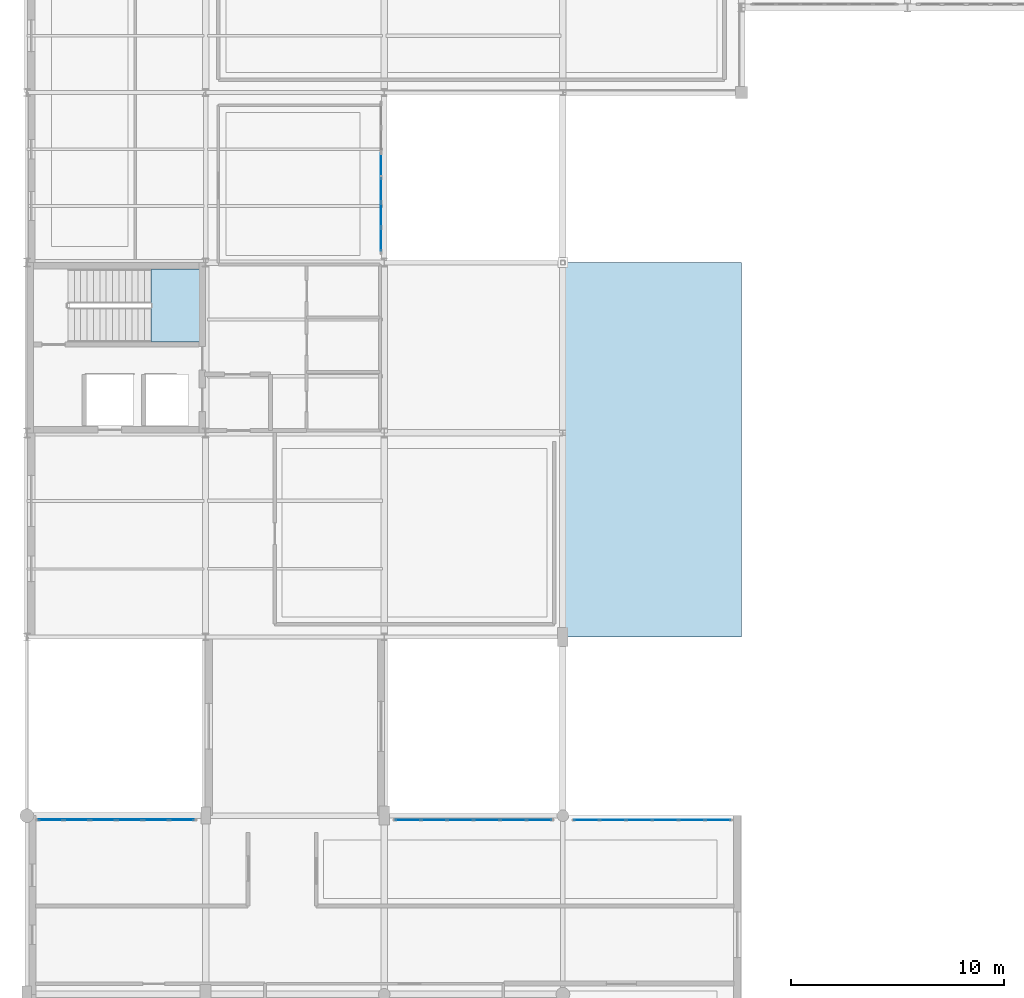
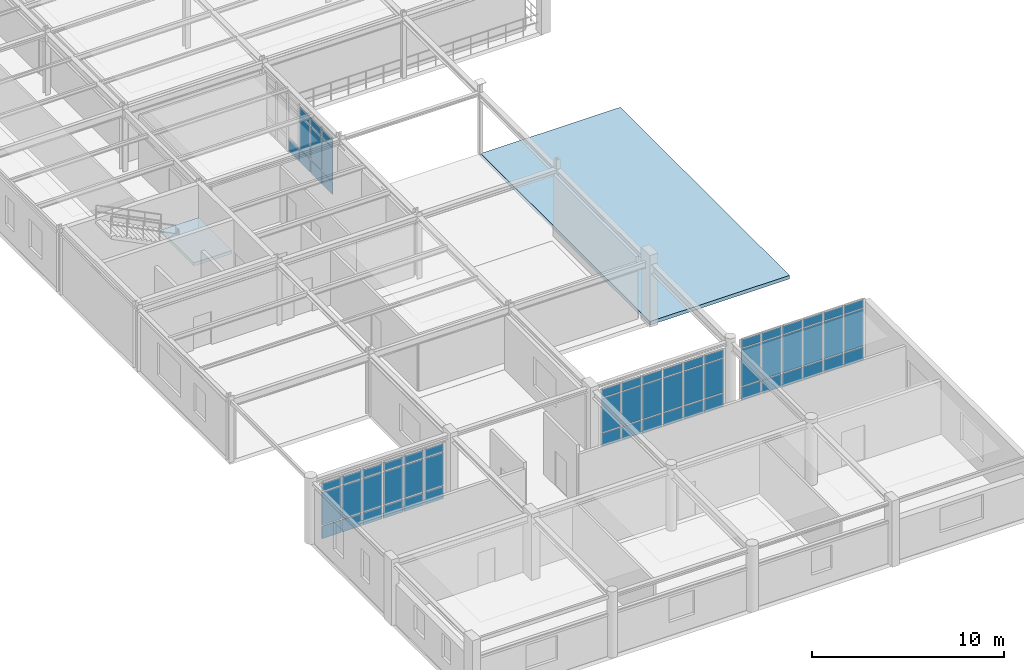
# One storey, part 57 of 90: 64 plates, 2 slabs, 5 elements without a shape of their own.
"""IFC4 building model written with IfcOpenShell, lengths in metres."""

from ifc_helpers import new_model, si_unit, derived_unit, direction, frame, origin, origin_2d, place, context, subcontext, project, spatial, polyline, rectangle, outline, extrude, material, layer, layer_set, type_object, element, aggregate, save


model = new_model("IFC4")

# Units and contexts
model_context = context("Model", 3, precision=1e-05, world=origin(), true_north=direction((0.0, 1.0)))
body_context = subcontext(model_context, "Body", "Model", "MODEL_VIEW")
ifc_project = project(units=[si_unit("LENGTHUNIT", "METRE"), si_unit("AREAUNIT", "SQUARE_METRE"), si_unit("VOLUMEUNIT", "CUBIC_METRE"), si_unit("PLANEANGLEUNIT", "RADIAN"), si_unit("MASSUNIT", "GRAM", prefix="KILO"), derived_unit("THERMALTRANSMITTANCEUNIT", [(si_unit("POWERUNIT", "WATT"), 1), (si_unit("AREAUNIT", "SQUARE_METRE"), -1), (si_unit("THERMODYNAMICTEMPERATUREUNIT", "KELVIN"), -1)])], contexts=[model_context])

# Site, building, storey
site_placement = place(None, origin())
site = spatial("IfcSite", under=ifc_project, at=site_placement, CompositionType="ELEMENT")
building_placement = place(site_placement, origin())
building = spatial("IfcBuilding", under=site, at=building_placement, Name="Yasenodar Specialist Clinic", CompositionType="ELEMENT")
storey_placement = place(building_placement, frame((0.0, 0.0, 9.0)))
storey = spatial("IfcBuildingStorey", under=building, at=storey_placement, Name="L02", CompositionType="ELEMENT", Elevation=9.0)

# Curtain wall, plates
ifc_material_1 = material(Name="Bronze Anodized Aluminium and Triple Low-E Glass", Category="aluminium")
ifc_layer_1 = layer(ifc_material_1, 0.202880859375)
ifc_layer_set_1 = layer_set([ifc_layer_1], Name="Bronze Anodized Aluminium and Triple Low-E Glass")
curtain_wall_type = type_object("IfcCurtainWallType", Name="CW-SYS-04", PredefinedType="USERDEFINED", material=ifc_layer_set_1)
curtain_wall_1_placement = place(storey_placement, origin())
curtain_wall_1 = element("IfcCurtainWall", 1, at=curtain_wall_1_placement, inside=storey, type_object=curtain_wall_type, Name="L02 Unitised Curtain Wall 076", ObjectType="UNITISED CURTAIN WALL", PredefinedType="USERDEFINED")
ifc_material_2 = material(Name="Triple Low-E Argon Glazing", Category="glass")
ifc_layer_2 = layer(ifc_material_2, 0.028076171875)
ifc_layer_set_2 = layer_set([ifc_layer_2], Name="Triple Low-E Argon Glazing")
plate_type_1 = type_object("IfcPlateType", Name="CW-PAN-1", PredefinedType="CURTAIN_PANEL", material=ifc_layer_set_2)
plate_1_placement = place(storey_placement, frame((17.9150390625, 16.60009765625, 0.06005859375), z_axis=(0.0, 0.0, 1.0), x_axis=(1.0, 0.0, 0.0)))
plate_1 = element("IfcPlate", 2, at=plate_1_placement, type_object=plate_type_1, Name="CW-04 panel 1.1", PredefinedType="CURTAIN_PANEL", context=body_context, shape_type="SweptSolid", body=[
    extrude(rectangle(XDim=1.14990234375, YDim=0.028076171875, at=origin_2d()), origin(), (0.0, 0.0, 1.0), 0.81005859375),
])
plate_2_placement = place(storey_placement, frame((17.9150390625, 16.60009765625, 0.929931640625), z_axis=(0.0, 0.0, 1.0), x_axis=(1.0, 0.0, 0.0)))
plate_2 = element("IfcPlate", 3, at=plate_2_placement, type_object=plate_type_1, Name="CW-04 panel 1.2", PredefinedType="CURTAIN_PANEL", context=body_context, shape_type="SweptSolid", body=[
    extrude(rectangle(XDim=1.14990234375, YDim=0.028076171875, at=origin_2d()), origin(), (0.0, 0.0, 1.0), 2.14794921875),
])
plate_3_placement = place(storey_placement, frame((17.9150390625, 16.60009765625, 3.13818359375), z_axis=(0.0, 0.0, 1.0), x_axis=(1.0, 0.0, 0.0)))
plate_3 = element("IfcPlate", 4, at=plate_3_placement, type_object=plate_type_1, Name="CW-04 panel 1.3", PredefinedType="CURTAIN_PANEL", context=body_context, shape_type="SweptSolid", body=[
    extrude(rectangle(XDim=1.14990234375, YDim=0.028076171875, at=origin_2d()), origin(), (0.0, 0.0, 1.0), 0.510009765625),
])
plate_4_placement = place(storey_placement, frame((19.139892578125, 16.60009765625, 0.06005859375), z_axis=(0.0, 0.0, 1.0), x_axis=(1.0, 0.0, 0.0)))
plate_4 = element("IfcPlate", 5, at=plate_4_placement, type_object=plate_type_1, Name="CW-04 panel 2.1", PredefinedType="CURTAIN_PANEL", context=body_context, shape_type="SweptSolid", body=[
    extrude(rectangle(XDim=1.179931640625, YDim=0.028076171875, at=origin_2d()), origin(), (0.0, 0.0, 1.0), 0.81005859375),
])
plate_5_placement = place(storey_placement, frame((19.139892578125, 16.60009765625, 0.929931640625), z_axis=(0.0, 0.0, 1.0), x_axis=(1.0, 0.0, 0.0)))
plate_5 = element("IfcPlate", 6, at=plate_5_placement, type_object=plate_type_1, Name="CW-04 panel 2.2", PredefinedType="CURTAIN_PANEL", context=body_context, shape_type="SweptSolid", body=[
    extrude(rectangle(XDim=1.179931640625, YDim=0.028076171875, at=origin_2d()), origin(), (0.0, 0.0, 1.0), 2.14794921875),
])
plate_6_placement = place(storey_placement, frame((19.139892578125, 16.60009765625, 3.13818359375), z_axis=(0.0, 0.0, 1.0), x_axis=(1.0, 0.0, 0.0)))
plate_6 = element("IfcPlate", 7, at=plate_6_placement, type_object=plate_type_1, Name="CW-04 panel 2.3", PredefinedType="CURTAIN_PANEL", context=body_context, shape_type="SweptSolid", body=[
    extrude(rectangle(XDim=1.179931640625, YDim=0.028076171875, at=origin_2d()), origin(), (0.0, 0.0, 1.0), 0.510009765625),
])
plate_7_placement = place(storey_placement, frame((20.3798828125, 16.60009765625, 0.06005859375), z_axis=(0.0, 0.0, 1.0), x_axis=(1.0, 0.0, 0.0)))
plate_7 = element("IfcPlate", 8, at=plate_7_placement, type_object=plate_type_1, Name="CW-04 panel 3.1", PredefinedType="CURTAIN_PANEL", context=body_context, shape_type="SweptSolid", body=[
    extrude(rectangle(XDim=1.179931640625, YDim=0.028076171875, at=origin_2d()), origin(), (0.0, 0.0, 1.0), 0.81005859375),
])
plate_8_placement = place(storey_placement, frame((20.3798828125, 16.60009765625, 0.929931640625), z_axis=(0.0, 0.0, 1.0), x_axis=(1.0, 0.0, 0.0)))
plate_8 = element("IfcPlate", 9, at=plate_8_placement, type_object=plate_type_1, Name="CW-04 panel 3.2", PredefinedType="CURTAIN_PANEL", context=body_context, shape_type="SweptSolid", body=[
    extrude(rectangle(XDim=1.179931640625, YDim=0.028076171875, at=origin_2d()), origin(), (0.0, 0.0, 1.0), 2.14794921875),
])
plate_9_placement = place(storey_placement, frame((20.3798828125, 16.60009765625, 3.13818359375), z_axis=(0.0, 0.0, 1.0), x_axis=(1.0, 0.0, 0.0)))
plate_9 = element("IfcPlate", 10, at=plate_9_placement, type_object=plate_type_1, Name="CW-04 panel 3.3", PredefinedType="CURTAIN_PANEL", context=body_context, shape_type="SweptSolid", body=[
    extrude(rectangle(XDim=1.179931640625, YDim=0.028076171875, at=origin_2d()), origin(), (0.0, 0.0, 1.0), 0.510009765625),
])
plate_10_placement = place(storey_placement, frame((21.6201171875, 16.60009765625, 0.06005859375), z_axis=(0.0, 0.0, 1.0), x_axis=(1.0, 0.0, 0.0)))
plate_10 = element("IfcPlate", 11, at=plate_10_placement, type_object=plate_type_1, Name="CW-04 panel 4.1", PredefinedType="CURTAIN_PANEL", context=body_context, shape_type="SweptSolid", body=[
    extrude(rectangle(XDim=1.179931640625, YDim=0.028076171875, at=origin_2d()), origin(), (0.0, 0.0, 1.0), 0.81005859375),
])
plate_11_placement = place(storey_placement, frame((21.6201171875, 16.60009765625, 0.929931640625), z_axis=(0.0, 0.0, 1.0), x_axis=(1.0, 0.0, 0.0)))
plate_11 = element("IfcPlate", 12, at=plate_11_placement, type_object=plate_type_1, Name="CW-04 panel 4.2", PredefinedType="CURTAIN_PANEL", context=body_context, shape_type="SweptSolid", body=[
    extrude(rectangle(XDim=1.179931640625, YDim=0.028076171875, at=origin_2d()), origin(), (0.0, 0.0, 1.0), 2.14794921875),
])
plate_12_placement = place(storey_placement, frame((21.6201171875, 16.60009765625, 3.13818359375), z_axis=(0.0, 0.0, 1.0), x_axis=(1.0, 0.0, 0.0)))
plate_12 = element("IfcPlate", 13, at=plate_12_placement, type_object=plate_type_1, Name="CW-04 panel 4.3", PredefinedType="CURTAIN_PANEL", context=body_context, shape_type="SweptSolid", body=[
    extrude(rectangle(XDim=1.179931640625, YDim=0.028076171875, at=origin_2d()), origin(), (0.0, 0.0, 1.0), 0.510009765625),
])
plate_13_placement = place(storey_placement, frame((22.860107421875, 16.60009765625, 0.06005859375), z_axis=(0.0, 0.0, 1.0), x_axis=(1.0, 0.0, 0.0)))
plate_13 = element("IfcPlate", 14, at=plate_13_placement, type_object=plate_type_1, Name="CW-04 panel 5.1", PredefinedType="CURTAIN_PANEL", context=body_context, shape_type="SweptSolid", body=[
    extrude(rectangle(XDim=1.179931640625, YDim=0.028076171875, at=origin_2d()), origin(), (0.0, 0.0, 1.0), 0.81005859375),
])
plate_14_placement = place(storey_placement, frame((22.860107421875, 16.60009765625, 0.929931640625), z_axis=(0.0, 0.0, 1.0), x_axis=(1.0, 0.0, 0.0)))
plate_14 = element("IfcPlate", 15, at=plate_14_placement, type_object=plate_type_1, Name="CW-04 panel 5.2", PredefinedType="CURTAIN_PANEL", context=body_context, shape_type="SweptSolid", body=[
    extrude(rectangle(XDim=1.179931640625, YDim=0.028076171875, at=origin_2d()), origin(), (0.0, 0.0, 1.0), 2.14794921875),
])
plate_15_placement = place(storey_placement, frame((22.860107421875, 16.60009765625, 3.13818359375), z_axis=(0.0, 0.0, 1.0), x_axis=(1.0, 0.0, 0.0)))
plate_15 = element("IfcPlate", 16, at=plate_15_placement, type_object=plate_type_1, Name="CW-04 panel 5.3", PredefinedType="CURTAIN_PANEL", context=body_context, shape_type="SweptSolid", body=[
    extrude(rectangle(XDim=1.179931640625, YDim=0.028076171875, at=origin_2d()), origin(), (0.0, 0.0, 1.0), 0.510009765625),
])
plate_16_placement = place(storey_placement, frame((24.0849609375, 16.60009765625, 0.06005859375), z_axis=(0.0, 0.0, 1.0), x_axis=(1.0, 0.0, 0.0)))
plate_16 = element("IfcPlate", 17, at=plate_16_placement, type_object=plate_type_1, Name="CW-04 panel 6.1", PredefinedType="CURTAIN_PANEL", context=body_context, shape_type="SweptSolid", body=[
    extrude(rectangle(XDim=1.14990234375, YDim=0.028076171875, at=origin_2d()), origin(), (0.0, 0.0, 1.0), 0.81005859375),
])
plate_17_placement = place(storey_placement, frame((24.0849609375, 16.60009765625, 0.929931640625), z_axis=(0.0, 0.0, 1.0), x_axis=(1.0, 0.0, 0.0)))
plate_17 = element("IfcPlate", 18, at=plate_17_placement, type_object=plate_type_1, Name="CW-04 panel 6.2", PredefinedType="CURTAIN_PANEL", context=body_context, shape_type="SweptSolid", body=[
    extrude(rectangle(XDim=1.14990234375, YDim=0.028076171875, at=origin_2d()), origin(), (0.0, 0.0, 1.0), 2.14794921875),
])
plate_18_placement = place(storey_placement, frame((24.0849609375, 16.60009765625, 3.13818359375), z_axis=(0.0, 0.0, 1.0), x_axis=(1.0, 0.0, 0.0)))
plate_18 = element("IfcPlate", 19, at=plate_18_placement, type_object=plate_type_1, Name="CW-04 panel 6.3", PredefinedType="CURTAIN_PANEL", context=body_context, shape_type="SweptSolid", body=[
    extrude(rectangle(XDim=1.14990234375, YDim=0.028076171875, at=origin_2d()), origin(), (0.0, 0.0, 1.0), 0.510009765625),
])
aggregate(curtain_wall_1, [plate_1, plate_2, plate_3, plate_4, plate_5, plate_6, plate_7, plate_8, plate_9, plate_10, plate_11, plate_12, plate_13, plate_14, plate_15, plate_16, plate_17, plate_18])

curtain_wall_2_placement = place(storey_placement, origin())
curtain_wall_2 = element("IfcCurtainWall", 20, at=curtain_wall_2_placement, inside=storey, type_object=curtain_wall_type, Name="L02 Unitised Curtain Wall 077", ObjectType="UNITISED CURTAIN WALL", PredefinedType="USERDEFINED")
ifc_layer_3 = layer(ifc_material_2, 0.033935546875)
ifc_layer_set_3 = layer_set([ifc_layer_3], Name="Triple Low-E Argon Glazing")
plate_type_2 = type_object("IfcPlateType", Name="CW-PAN-2", PredefinedType="CURTAIN_PANEL", material=ifc_layer_set_3)
plate_19_placement = place(storey_placement, frame((26.31494140625, 16.60009765625, 0.06005859375), z_axis=(0.0, 0.0, 1.0), x_axis=(1.0, 0.0, 0.0)))
plate_19 = element("IfcPlate", 21, at=plate_19_placement, type_object=plate_type_2, Name="CW-04 panel 1.1", PredefinedType="CURTAIN_PANEL", context=body_context, shape_type="SweptSolid", body=[
    extrude(rectangle(XDim=1.14990234375, YDim=0.033935546875, at=origin_2d()), origin(), (0.0, 0.0, 1.0), 0.81005859375),
])
plate_20_placement = place(storey_placement, frame((26.31494140625, 16.60009765625, 0.929931640625), z_axis=(0.0, 0.0, 1.0), x_axis=(1.0, 0.0, 0.0)))
plate_20 = element("IfcPlate", 22, at=plate_20_placement, type_object=plate_type_2, Name="CW-04 panel 1.2", PredefinedType="CURTAIN_PANEL", context=body_context, shape_type="SweptSolid", body=[
    extrude(rectangle(XDim=1.14990234375, YDim=0.033935546875, at=origin_2d()), origin(), (0.0, 0.0, 1.0), 2.3701171875),
])
plate_21_placement = place(storey_placement, frame((26.31494140625, 16.60009765625, 3.35986328125), z_axis=(0.0, 0.0, 1.0), x_axis=(1.0, 0.0, 0.0)))
plate_21 = element("IfcPlate", 23, at=plate_21_placement, type_object=plate_type_2, Name="CW-04 panel 1.3", PredefinedType="CURTAIN_PANEL", context=body_context, shape_type="SweptSolid", body=[
    extrude(rectangle(XDim=1.14990234375, YDim=0.033935546875, at=origin_2d()), origin(), (0.0, 0.0, 1.0), 0.510009765625),
])
plate_22_placement = place(storey_placement, frame((27.5400390625, 16.60009765625, 0.06005859375), z_axis=(0.0, 0.0, 1.0), x_axis=(1.0, 0.0, 0.0)))
plate_22 = element("IfcPlate", 24, at=plate_22_placement, type_object=plate_type_2, Name="CW-04 panel 2.1", PredefinedType="CURTAIN_PANEL", context=body_context, shape_type="SweptSolid", body=[
    extrude(rectangle(XDim=1.179931640625, YDim=0.033935546875, at=origin_2d()), origin(), (0.0, 0.0, 1.0), 0.81005859375),
])
plate_23_placement = place(storey_placement, frame((27.5400390625, 16.60009765625, 0.929931640625), z_axis=(0.0, 0.0, 1.0), x_axis=(1.0, 0.0, 0.0)))
plate_23 = element("IfcPlate", 25, at=plate_23_placement, type_object=plate_type_2, Name="CW-04 panel 2.2", PredefinedType="CURTAIN_PANEL", context=body_context, shape_type="SweptSolid", body=[
    extrude(rectangle(XDim=1.179931640625, YDim=0.033935546875, at=origin_2d()), origin(), (0.0, 0.0, 1.0), 2.3701171875),
])
plate_24_placement = place(storey_placement, frame((27.5400390625, 16.60009765625, 3.35986328125), z_axis=(0.0, 0.0, 1.0), x_axis=(1.0, 0.0, 0.0)))
plate_24 = element("IfcPlate", 26, at=plate_24_placement, type_object=plate_type_2, Name="CW-04 panel 2.3", PredefinedType="CURTAIN_PANEL", context=body_context, shape_type="SweptSolid", body=[
    extrude(rectangle(XDim=1.179931640625, YDim=0.033935546875, at=origin_2d()), origin(), (0.0, 0.0, 1.0), 0.510009765625),
])
plate_25_placement = place(storey_placement, frame((28.780029296875, 16.60009765625, 0.06005859375), z_axis=(0.0, 0.0, 1.0), x_axis=(1.0, 0.0, 0.0)))
plate_25 = element("IfcPlate", 27, at=plate_25_placement, type_object=plate_type_2, Name="CW-04 panel 3.1", PredefinedType="CURTAIN_PANEL", context=body_context, shape_type="SweptSolid", body=[
    extrude(rectangle(XDim=1.179931640625, YDim=0.033935546875, at=origin_2d()), origin(), (0.0, 0.0, 1.0), 0.81005859375),
])
plate_26_placement = place(storey_placement, frame((28.780029296875, 16.60009765625, 0.929931640625), z_axis=(0.0, 0.0, 1.0), x_axis=(1.0, 0.0, 0.0)))
plate_26 = element("IfcPlate", 28, at=plate_26_placement, type_object=plate_type_2, Name="CW-04 panel 3.2", PredefinedType="CURTAIN_PANEL", context=body_context, shape_type="SweptSolid", body=[
    extrude(rectangle(XDim=1.179931640625, YDim=0.033935546875, at=origin_2d()), origin(), (0.0, 0.0, 1.0), 2.3701171875),
])
plate_27_placement = place(storey_placement, frame((28.780029296875, 16.60009765625, 3.35986328125), z_axis=(0.0, 0.0, 1.0), x_axis=(1.0, 0.0, 0.0)))
plate_27 = element("IfcPlate", 29, at=plate_27_placement, type_object=plate_type_2, Name="CW-04 panel 3.3", PredefinedType="CURTAIN_PANEL", context=body_context, shape_type="SweptSolid", body=[
    extrude(rectangle(XDim=1.179931640625, YDim=0.033935546875, at=origin_2d()), origin(), (0.0, 0.0, 1.0), 0.510009765625),
])
plate_28_placement = place(storey_placement, frame((30.02001953125, 16.60009765625, 0.06005859375), z_axis=(0.0, 0.0, 1.0), x_axis=(1.0, 0.0, 0.0)))
plate_28 = element("IfcPlate", 30, at=plate_28_placement, type_object=plate_type_2, Name="CW-04 panel 4.1", PredefinedType="CURTAIN_PANEL", context=body_context, shape_type="SweptSolid", body=[
    extrude(rectangle(XDim=1.179931640625, YDim=0.033935546875, at=origin_2d()), origin(), (0.0, 0.0, 1.0), 0.81005859375),
])
plate_29_placement = place(storey_placement, frame((30.02001953125, 16.60009765625, 0.929931640625), z_axis=(0.0, 0.0, 1.0), x_axis=(1.0, 0.0, 0.0)))
plate_29 = element("IfcPlate", 31, at=plate_29_placement, type_object=plate_type_2, Name="CW-04 panel 4.2", PredefinedType="CURTAIN_PANEL", context=body_context, shape_type="SweptSolid", body=[
    extrude(rectangle(XDim=1.179931640625, YDim=0.033935546875, at=origin_2d()), origin(), (0.0, 0.0, 1.0), 2.3701171875),
])
plate_30_placement = place(storey_placement, frame((30.02001953125, 16.60009765625, 3.35986328125), z_axis=(0.0, 0.0, 1.0), x_axis=(1.0, 0.0, 0.0)))
plate_30 = element("IfcPlate", 32, at=plate_30_placement, type_object=plate_type_2, Name="CW-04 panel 4.3", PredefinedType="CURTAIN_PANEL", context=body_context, shape_type="SweptSolid", body=[
    extrude(rectangle(XDim=1.179931640625, YDim=0.033935546875, at=origin_2d()), origin(), (0.0, 0.0, 1.0), 0.510009765625),
])
plate_31_placement = place(storey_placement, frame((31.260009765625, 16.60009765625, 0.06005859375), z_axis=(0.0, 0.0, 1.0), x_axis=(1.0, 0.0, 0.0)))
plate_31 = element("IfcPlate", 33, at=plate_31_placement, type_object=plate_type_2, Name="CW-04 panel 5.1", PredefinedType="CURTAIN_PANEL", context=body_context, shape_type="SweptSolid", body=[
    extrude(rectangle(XDim=1.179931640625, YDim=0.033935546875, at=origin_2d()), origin(), (0.0, 0.0, 1.0), 0.81005859375),
])
plate_32_placement = place(storey_placement, frame((31.260009765625, 16.60009765625, 0.929931640625), z_axis=(0.0, 0.0, 1.0), x_axis=(1.0, 0.0, 0.0)))
plate_32 = element("IfcPlate", 34, at=plate_32_placement, type_object=plate_type_2, Name="CW-04 panel 5.2", PredefinedType="CURTAIN_PANEL", context=body_context, shape_type="SweptSolid", body=[
    extrude(rectangle(XDim=1.179931640625, YDim=0.033935546875, at=origin_2d()), origin(), (0.0, 0.0, 1.0), 2.3701171875),
])
plate_33_placement = place(storey_placement, frame((31.260009765625, 16.60009765625, 3.35986328125), z_axis=(0.0, 0.0, 1.0), x_axis=(1.0, 0.0, 0.0)))
plate_33 = element("IfcPlate", 35, at=plate_33_placement, type_object=plate_type_2, Name="CW-04 panel 5.3", PredefinedType="CURTAIN_PANEL", context=body_context, shape_type="SweptSolid", body=[
    extrude(rectangle(XDim=1.179931640625, YDim=0.033935546875, at=origin_2d()), origin(), (0.0, 0.0, 1.0), 0.510009765625),
])
plate_34_placement = place(storey_placement, frame((32.485107421875, 16.60009765625, 0.06005859375), z_axis=(0.0, 0.0, 1.0), x_axis=(1.0, 0.0, 0.0)))
plate_34 = element("IfcPlate", 36, at=plate_34_placement, type_object=plate_type_2, Name="CW-04 panel 6.1", PredefinedType="CURTAIN_PANEL", context=body_context, shape_type="SweptSolid", body=[
    extrude(rectangle(XDim=1.14990234375, YDim=0.033935546875, at=origin_2d()), origin(), (0.0, 0.0, 1.0), 0.81005859375),
])
plate_35_placement = place(storey_placement, frame((32.485107421875, 16.60009765625, 0.929931640625), z_axis=(0.0, 0.0, 1.0), x_axis=(1.0, 0.0, 0.0)))
plate_35 = element("IfcPlate", 37, at=plate_35_placement, type_object=plate_type_2, Name="CW-04 panel 6.2", PredefinedType="CURTAIN_PANEL", context=body_context, shape_type="SweptSolid", body=[
    extrude(rectangle(XDim=1.14990234375, YDim=0.033935546875, at=origin_2d()), origin(), (0.0, 0.0, 1.0), 2.3701171875),
])
plate_36_placement = place(storey_placement, frame((32.485107421875, 16.60009765625, 3.35986328125), z_axis=(0.0, 0.0, 1.0), x_axis=(1.0, 0.0, 0.0)))
plate_36 = element("IfcPlate", 38, at=plate_36_placement, type_object=plate_type_2, Name="CW-04 panel 6.3", PredefinedType="CURTAIN_PANEL", context=body_context, shape_type="SweptSolid", body=[
    extrude(rectangle(XDim=1.14990234375, YDim=0.033935546875, at=origin_2d()), origin(), (0.0, 0.0, 1.0), 0.510009765625),
])
aggregate(curtain_wall_2, [plate_19, plate_20, plate_21, plate_22, plate_23, plate_24, plate_25, plate_26, plate_27, plate_28, plate_29, plate_30, plate_31, plate_32, plate_33, plate_34, plate_35, plate_36])

curtain_wall_3_placement = place(storey_placement, origin())
curtain_wall_3 = element("IfcCurtainWall", 39, at=curtain_wall_3_placement, inside=storey, type_object=curtain_wall_type, Name="L02 Unitised Curtain Wall 130", ObjectType="UNITISED CURTAIN WALL", PredefinedType="USERDEFINED")
ifc_layer_4 = layer(ifc_material_2, 0.0400390625)
ifc_layer_set_4 = layer_set([ifc_layer_4], Name="Triple Low-E Argon Glazing")
plate_type_3 = type_object("IfcPlateType", Name="CW-PAN-3", PredefinedType="CURTAIN_PANEL", material=ifc_layer_set_4)
plate_37_placement = place(storey_placement, frame((16.64990234375, 47.38671875, 0.074951171875), z_axis=(0.0, 0.0, 1.0), x_axis=(0.0, -1.0, 0.0)))
plate_37 = element("IfcPlate", 40, at=plate_37_placement, type_object=plate_type_3, Name="CW-04 panel 3.1", PredefinedType="CURTAIN_PANEL", context=body_context, shape_type="SweptSolid", body=[
    extrude(rectangle(XDim=1.098388671875, YDim=0.0400390625, at=origin_2d()), origin(), (0.0, 0.0, 1.0), 0.78759765625),
])
plate_38_placement = place(storey_placement, frame((16.64990234375, 46.21337890625, 0.074951171875), z_axis=(0.0, 0.0, 1.0), x_axis=(0.0, -1.0, 0.0)))
plate_38 = element("IfcPlate", 41, at=plate_38_placement, type_object=plate_type_3, Name="CW-04 panel 4.1", PredefinedType="CURTAIN_PANEL", context=body_context, shape_type="SweptSolid", body=[
    extrude(rectangle(XDim=1.098388671875, YDim=0.0400390625, at=origin_2d()), origin(), (0.0, 0.0, 1.0), 0.78759765625),
])
plate_39_placement = place(storey_placement, frame((16.64990234375, 46.21337890625, 0.9375), z_axis=(0.0, 0.0, 1.0), x_axis=(0.0, -1.0, 0.0)))
plate_39 = element("IfcPlate", 42, at=plate_39_placement, type_object=plate_type_3, Name="CW-04 panel 4.2", PredefinedType="CURTAIN_PANEL", context=body_context, shape_type="SweptSolid", body=[
    extrude(rectangle(XDim=1.098388671875, YDim=0.0400390625, at=origin_2d()), origin(), (0.0, 0.0, 1.0), 2.072998046875),
])
plate_40_placement = place(storey_placement, frame((16.64990234375, 46.21337890625, 3.08544921875), z_axis=(0.0, 0.0, 1.0), x_axis=(0.0, -1.0, 0.0)))
plate_40 = element("IfcPlate", 43, at=plate_40_placement, type_object=plate_type_3, Name="CW-04 panel 4.3", PredefinedType="CURTAIN_PANEL", context=body_context, shape_type="SweptSolid", body=[
    extrude(rectangle(XDim=1.098388671875, YDim=0.0400390625, at=origin_2d()), origin(), (0.0, 0.0, 1.0), 0.487548828125),
])
plate_41_placement = place(storey_placement, frame((16.64990234375, 45.0400390625, 0.074951171875), z_axis=(0.0, 0.0, 1.0), x_axis=(0.0, -1.0, 0.0)))
plate_41 = element("IfcPlate", 44, at=plate_41_placement, type_object=plate_type_3, Name="CW-04 panel 5.1", PredefinedType="CURTAIN_PANEL", context=body_context, shape_type="SweptSolid", body=[
    extrude(rectangle(XDim=1.098388671875, YDim=0.0400390625, at=origin_2d()), origin(), (0.0, 0.0, 1.0), 0.78759765625),
])
plate_42_placement = place(storey_placement, frame((16.64990234375, 45.0400390625, 0.9375), z_axis=(0.0, 0.0, 1.0), x_axis=(0.0, -1.0, 0.0)))
plate_42 = element("IfcPlate", 45, at=plate_42_placement, type_object=plate_type_3, Name="CW-04 panel 5.2", PredefinedType="CURTAIN_PANEL", context=body_context, shape_type="SweptSolid", body=[
    extrude(rectangle(XDim=1.098388671875, YDim=0.0400390625, at=origin_2d()), origin(), (0.0, 0.0, 1.0), 2.072998046875),
])
plate_43_placement = place(storey_placement, frame((16.64990234375, 45.0400390625, 3.08544921875), z_axis=(0.0, 0.0, 1.0), x_axis=(0.0, -1.0, 0.0)))
plate_43 = element("IfcPlate", 46, at=plate_43_placement, type_object=plate_type_3, Name="CW-04 panel 5.3", PredefinedType="CURTAIN_PANEL", context=body_context, shape_type="SweptSolid", body=[
    extrude(rectangle(XDim=1.098388671875, YDim=0.0400390625, at=origin_2d()), origin(), (0.0, 0.0, 1.0), 0.487548828125),
])
plate_44_placement = place(storey_placement, frame((16.64990234375, 43.885498046875, 0.074951171875), z_axis=(0.0, 0.0, 1.0), x_axis=(0.0, -1.0, 0.0)))
plate_44 = element("IfcPlate", 47, at=plate_44_placement, type_object=plate_type_3, Name="CW-04 panel 6.1", PredefinedType="CURTAIN_PANEL", context=body_context, shape_type="SweptSolid", body=[
    extrude(rectangle(XDim=1.060791015625, YDim=0.0400390625, at=origin_2d()), origin(), (0.0, 0.0, 1.0), 0.78759765625),
])
plate_45_placement = place(storey_placement, frame((16.64990234375, 43.885498046875, 0.9375), z_axis=(0.0, 0.0, 1.0), x_axis=(0.0, -1.0, 0.0)))
plate_45 = element("IfcPlate", 48, at=plate_45_placement, type_object=plate_type_3, Name="CW-04 panel 6.2", PredefinedType="CURTAIN_PANEL", context=body_context, shape_type="SweptSolid", body=[
    extrude(rectangle(XDim=1.060791015625, YDim=0.0400390625, at=origin_2d()), origin(), (0.0, 0.0, 1.0), 2.072998046875),
])
plate_46_placement = place(storey_placement, frame((16.64990234375, 43.885498046875, 3.08544921875), z_axis=(0.0, 0.0, 1.0), x_axis=(0.0, -1.0, 0.0)))
plate_46 = element("IfcPlate", 49, at=plate_46_placement, type_object=plate_type_3, Name="CW-04 panel 6.3", PredefinedType="CURTAIN_PANEL", context=body_context, shape_type="SweptSolid", body=[
    extrude(rectangle(XDim=1.060791015625, YDim=0.0400390625, at=origin_2d()), origin(), (0.0, 0.0, 1.0), 0.487548828125),
])
aggregate(curtain_wall_3, [plate_37, plate_38, plate_39, plate_40, plate_41, plate_42, plate_43, plate_44, plate_45, plate_46])

curtain_wall_4_placement = place(storey_placement, origin())
curtain_wall_4 = element("IfcCurtainWall", 50, at=curtain_wall_4_placement, inside=storey, type_object=curtain_wall_type, Name="L02 Unitised Curtain Wall 075", ObjectType="UNITISED CURTAIN WALL", PredefinedType="USERDEFINED")
ifc_layer_5 = layer(ifc_material_2, 0.0458984375)
ifc_layer_set_5 = layer_set([ifc_layer_5], Name="Triple Low-E Argon Glazing")
plate_type_4 = type_object("IfcPlateType", Name="CW-PAN-4", PredefinedType="CURTAIN_PANEL", material=ifc_layer_set_5)
plate_47_placement = place(storey_placement, frame((1.11865234375, 16.60009765625, 0.074951171875), z_axis=(0.0, 0.0, 1.0), x_axis=(1.0, 0.0, 0.0)))
plate_47 = element("IfcPlate", 51, at=plate_47_placement, type_object=plate_type_4, Name="CW-04 panel 1.1", PredefinedType="CURTAIN_PANEL", context=body_context, shape_type="SweptSolid", body=[
    extrude(rectangle(XDim=1.12744140625, YDim=0.0458984375, at=origin_2d()), origin(), (0.0, 0.0, 1.0), 0.78759765625),
])
plate_48_placement = place(storey_placement, frame((1.11865234375, 16.60009765625, 0.9375), z_axis=(0.0, 0.0, 1.0), x_axis=(1.0, 0.0, 0.0)))
plate_48 = element("IfcPlate", 52, at=plate_48_placement, type_object=plate_type_4, Name="CW-04 panel 1.2", PredefinedType="CURTAIN_PANEL", context=body_context, shape_type="SweptSolid", body=[
    extrude(rectangle(XDim=1.12744140625, YDim=0.0458984375, at=origin_2d()), origin(), (0.0, 0.0, 1.0), 2.072998046875),
])
plate_49_placement = place(storey_placement, frame((1.11865234375, 16.60009765625, 3.08544921875), z_axis=(0.0, 0.0, 1.0), x_axis=(1.0, 0.0, 0.0)))
plate_49 = element("IfcPlate", 53, at=plate_49_placement, type_object=plate_type_4, Name="CW-04 panel 1.3", PredefinedType="CURTAIN_PANEL", context=body_context, shape_type="SweptSolid", body=[
    extrude(rectangle(XDim=1.12744140625, YDim=0.0458984375, at=origin_2d()), origin(), (0.0, 0.0, 1.0), 0.487548828125),
])
plate_50_placement = place(storey_placement, frame((2.340087890625, 16.60009765625, 0.074951171875), z_axis=(0.0, 0.0, 1.0), x_axis=(1.0, 0.0, 0.0)))
plate_50 = element("IfcPlate", 54, at=plate_50_placement, type_object=plate_type_4, Name="CW-04 panel 2.1", PredefinedType="CURTAIN_PANEL", context=body_context, shape_type="SweptSolid", body=[
    extrude(rectangle(XDim=1.1650390625, YDim=0.0458984375, at=origin_2d()), origin(), (0.0, 0.0, 1.0), 0.78759765625),
])
plate_51_placement = place(storey_placement, frame((2.340087890625, 16.60009765625, 0.9375), z_axis=(0.0, 0.0, 1.0), x_axis=(1.0, 0.0, 0.0)))
plate_51 = element("IfcPlate", 55, at=plate_51_placement, type_object=plate_type_4, Name="CW-04 panel 2.2", PredefinedType="CURTAIN_PANEL", context=body_context, shape_type="SweptSolid", body=[
    extrude(rectangle(XDim=1.1650390625, YDim=0.0458984375, at=origin_2d()), origin(), (0.0, 0.0, 1.0), 2.072998046875),
])
plate_52_placement = place(storey_placement, frame((2.340087890625, 16.60009765625, 3.08544921875), z_axis=(0.0, 0.0, 1.0), x_axis=(1.0, 0.0, 0.0)))
plate_52 = element("IfcPlate", 56, at=plate_52_placement, type_object=plate_type_4, Name="CW-04 panel 2.3", PredefinedType="CURTAIN_PANEL", context=body_context, shape_type="SweptSolid", body=[
    extrude(rectangle(XDim=1.1650390625, YDim=0.0458984375, at=origin_2d()), origin(), (0.0, 0.0, 1.0), 0.487548828125),
])
plate_53_placement = place(storey_placement, frame((3.580078125, 16.60009765625, 0.074951171875), z_axis=(0.0, 0.0, 1.0), x_axis=(1.0, 0.0, 0.0)))
plate_53 = element("IfcPlate", 57, at=plate_53_placement, type_object=plate_type_4, Name="CW-04 panel 3.1", PredefinedType="CURTAIN_PANEL", context=body_context, shape_type="SweptSolid", body=[
    extrude(rectangle(XDim=1.1650390625, YDim=0.0458984375, at=origin_2d()), origin(), (0.0, 0.0, 1.0), 0.78759765625),
])
plate_54_placement = place(storey_placement, frame((3.580078125, 16.60009765625, 0.9375), z_axis=(0.0, 0.0, 1.0), x_axis=(1.0, 0.0, 0.0)))
plate_54 = element("IfcPlate", 58, at=plate_54_placement, type_object=plate_type_4, Name="CW-04 panel 3.2", PredefinedType="CURTAIN_PANEL", context=body_context, shape_type="SweptSolid", body=[
    extrude(rectangle(XDim=1.1650390625, YDim=0.0458984375, at=origin_2d()), origin(), (0.0, 0.0, 1.0), 2.072998046875),
])
plate_55_placement = place(storey_placement, frame((3.580078125, 16.60009765625, 3.08544921875), z_axis=(0.0, 0.0, 1.0), x_axis=(1.0, 0.0, 0.0)))
plate_55 = element("IfcPlate", 59, at=plate_55_placement, type_object=plate_type_4, Name="CW-04 panel 3.3", PredefinedType="CURTAIN_PANEL", context=body_context, shape_type="SweptSolid", body=[
    extrude(rectangle(XDim=1.1650390625, YDim=0.0458984375, at=origin_2d()), origin(), (0.0, 0.0, 1.0), 0.487548828125),
])
plate_56_placement = place(storey_placement, frame((4.820068359375, 16.60009765625, 0.074951171875), z_axis=(0.0, 0.0, 1.0), x_axis=(1.0, 0.0, 0.0)))
plate_56 = element("IfcPlate", 60, at=plate_56_placement, type_object=plate_type_4, Name="CW-04 panel 4.1", PredefinedType="CURTAIN_PANEL", context=body_context, shape_type="SweptSolid", body=[
    extrude(rectangle(XDim=1.1650390625, YDim=0.0458984375, at=origin_2d()), origin(), (0.0, 0.0, 1.0), 0.78759765625),
])
plate_57_placement = place(storey_placement, frame((4.820068359375, 16.60009765625, 0.9375), z_axis=(0.0, 0.0, 1.0), x_axis=(1.0, 0.0, 0.0)))
plate_57 = element("IfcPlate", 61, at=plate_57_placement, type_object=plate_type_4, Name="CW-04 panel 4.2", PredefinedType="CURTAIN_PANEL", context=body_context, shape_type="SweptSolid", body=[
    extrude(rectangle(XDim=1.1650390625, YDim=0.0458984375, at=origin_2d()), origin(), (0.0, 0.0, 1.0), 2.072998046875),
])
plate_58_placement = place(storey_placement, frame((4.820068359375, 16.60009765625, 3.08544921875), z_axis=(0.0, 0.0, 1.0), x_axis=(1.0, 0.0, 0.0)))
plate_58 = element("IfcPlate", 62, at=plate_58_placement, type_object=plate_type_4, Name="CW-04 panel 4.3", PredefinedType="CURTAIN_PANEL", context=body_context, shape_type="SweptSolid", body=[
    extrude(rectangle(XDim=1.1650390625, YDim=0.0458984375, at=origin_2d()), origin(), (0.0, 0.0, 1.0), 0.487548828125),
])
plate_59_placement = place(storey_placement, frame((6.06005859375, 16.60009765625, 0.074951171875), z_axis=(0.0, 0.0, 1.0), x_axis=(1.0, 0.0, 0.0)))
plate_59 = element("IfcPlate", 63, at=plate_59_placement, type_object=plate_type_4, Name="CW-04 panel 5.1", PredefinedType="CURTAIN_PANEL", context=body_context, shape_type="SweptSolid", body=[
    extrude(rectangle(XDim=1.1650390625, YDim=0.0458984375, at=origin_2d()), origin(), (0.0, 0.0, 1.0), 0.78759765625),
])
plate_60_placement = place(storey_placement, frame((6.06005859375, 16.60009765625, 0.9375), z_axis=(0.0, 0.0, 1.0), x_axis=(1.0, 0.0, 0.0)))
plate_60 = element("IfcPlate", 64, at=plate_60_placement, type_object=plate_type_4, Name="CW-04 panel 5.2", PredefinedType="CURTAIN_PANEL", context=body_context, shape_type="SweptSolid", body=[
    extrude(rectangle(XDim=1.1650390625, YDim=0.0458984375, at=origin_2d()), origin(), (0.0, 0.0, 1.0), 2.072998046875),
])
plate_61_placement = place(storey_placement, frame((6.06005859375, 16.60009765625, 3.08544921875), z_axis=(0.0, 0.0, 1.0), x_axis=(1.0, 0.0, 0.0)))
plate_61 = element("IfcPlate", 65, at=plate_61_placement, type_object=plate_type_4, Name="CW-04 panel 5.3", PredefinedType="CURTAIN_PANEL", context=body_context, shape_type="SweptSolid", body=[
    extrude(rectangle(XDim=1.1650390625, YDim=0.0458984375, at=origin_2d()), origin(), (0.0, 0.0, 1.0), 0.487548828125),
])
plate_62_placement = place(storey_placement, frame((7.28125, 16.60009765625, 0.074951171875), z_axis=(0.0, 0.0, 1.0), x_axis=(1.0, 0.0, 0.0)))
plate_62 = element("IfcPlate", 66, at=plate_62_placement, type_object=plate_type_4, Name="CW-04 panel 6.1", PredefinedType="CURTAIN_PANEL", context=body_context, shape_type="SweptSolid", body=[
    extrude(rectangle(XDim=1.12744140625, YDim=0.0458984375, at=origin_2d()), origin(), (0.0, 0.0, 1.0), 0.78759765625),
])
plate_63_placement = place(storey_placement, frame((7.28125, 16.60009765625, 0.9375), z_axis=(0.0, 0.0, 1.0), x_axis=(1.0, 0.0, 0.0)))
plate_63 = element("IfcPlate", 67, at=plate_63_placement, type_object=plate_type_4, Name="CW-04 panel 6.2", PredefinedType="CURTAIN_PANEL", context=body_context, shape_type="SweptSolid", body=[
    extrude(rectangle(XDim=1.12744140625, YDim=0.0458984375, at=origin_2d()), origin(), (0.0, 0.0, 1.0), 2.072998046875),
])
plate_64_placement = place(storey_placement, frame((7.28125, 16.60009765625, 3.08544921875), z_axis=(0.0, 0.0, 1.0), x_axis=(1.0, 0.0, 0.0)))
plate_64 = element("IfcPlate", 68, at=plate_64_placement, type_object=plate_type_4, Name="CW-04 panel 6.3", PredefinedType="CURTAIN_PANEL", context=body_context, shape_type="SweptSolid", body=[
    extrude(rectangle(XDim=1.12744140625, YDim=0.0458984375, at=origin_2d()), origin(), (0.0, 0.0, 1.0), 0.487548828125),
])
aggregate(curtain_wall_4, [plate_47, plate_48, plate_49, plate_50, plate_51, plate_52, plate_53, plate_54, plate_55, plate_56, plate_57, plate_58, plate_59, plate_60, plate_61, plate_62, plate_63, plate_64])

# Stair, slab
ifc_material_3 = material(Name="Concrete C30/37", Category="concrete")
stair_type = type_object("IfcStairType", Name="ST-DOG-C1-28", PredefinedType="HALF_TURN_STAIR", material=ifc_material_3)
stair_placement = place(storey_placement, origin())
stair = element("IfcStair", 69, at=stair_placement, inside=storey, type_object=stair_type, Name="L02 Core C1 Exit Stair ST-01", PredefinedType="HALF_TURN_STAIR")
ifc_layer_6 = layer(ifc_material_3, 0.199951171875)
ifc_layer_set_6 = layer_set([ifc_layer_6], Name="Concrete C30/37")
slab_type_1 = type_object("IfcSlabType", Name="SLB-LND-200", PredefinedType="LANDING", material=ifc_layer_set_6)
slab_1_placement = place(storey_placement, frame((0.0, 0.0, 1.89990234375)))
slab_1 = element("IfcSlab", 70, at=slab_1_placement, type_object=slab_type_1, Name="ST-01 landing 1", PredefinedType="LANDING", context=body_context, shape_type="SweptSolid", body=[
    extrude(outline(polyline([(5.830078125, 39.06005859375), (8.1201171875, 39.06005859375), (8.1201171875, 42.510009765625), (5.830078125, 42.510009765625), (5.830078125, 39.06005859375)])), origin(), (0.0, 0.0, 1.0), 0.2001953125),
])
aggregate(stair, [slab_1])

# Slab
ifc_layer_7 = layer(ifc_material_3, 0.22509765625)
ifc_layer_set_7 = layer_set([ifc_layer_7], Name="Concrete C30/37")
slab_type_2 = type_object("IfcSlabType", Name="SLB-ROOF-225", PredefinedType="ROOF", material=ifc_layer_set_7)
slab_2_placement = place(storey_placement, frame((0.0, 0.0, -0.22509765625)))
element("IfcSlab", 71, at=slab_2_placement, inside=storey, type_object=slab_type_2, Name="V4 South-East Setback Roof Slab", PredefinedType="ROOF", context=body_context, shape_type="SweptSolid", body=[
    extrude(outline(polyline([(33.60009765625, 42.800048828125), (33.60009765625, 25.199951171875), (25.215087890625, 25.199951171875), (25.215087890625, 42.800048828125), (33.60009765625, 42.800048828125)])), origin(), (0.0, 0.0, 1.0), 0.22509765625),
])

save(model, "model.ifc")
